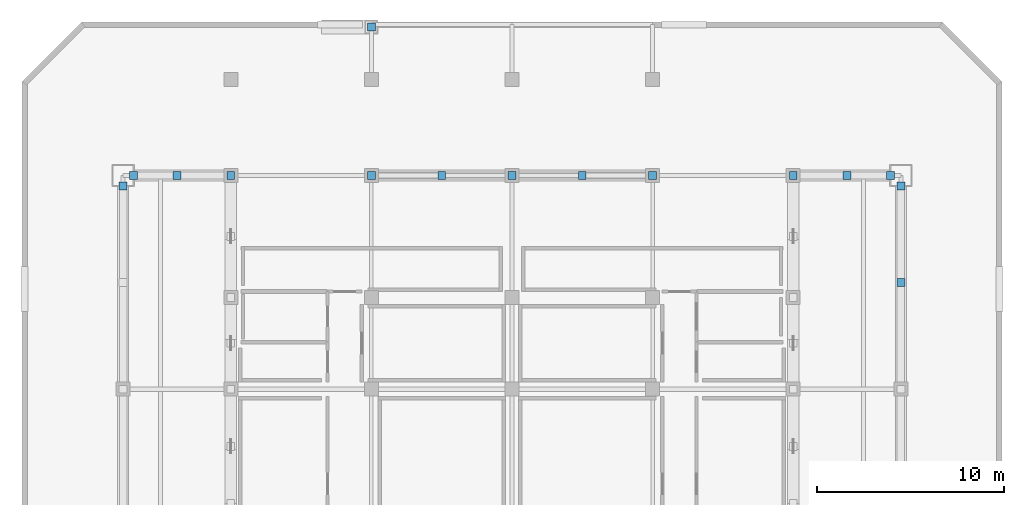
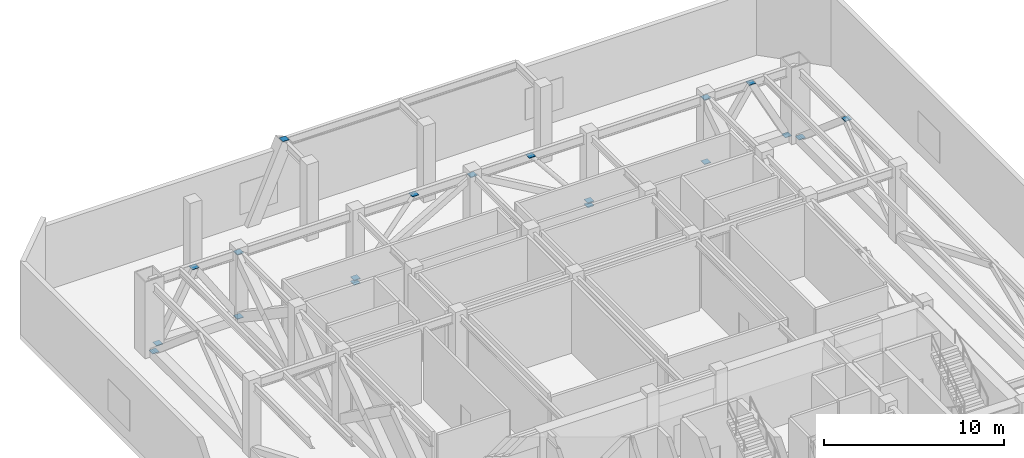
# One storey, part 8 of 10: 19 discrete accessories.
"""IFC4 building model written with IfcOpenShell, lengths in metres."""

from ifc_helpers import new_model, si_unit, direction, frame, origin, origin_2d, place, context, subcontext, project, spatial, rectangle, extrude, material, type_object, element, save


model = new_model("IFC4")

# Units and contexts
model_context = context("Model", 3, precision=1e-05, world=origin(), true_north=direction((0.0, 1.0)))
body_context = subcontext(model_context, "Body", "Model", "MODEL_VIEW")
ifc_project = project(units=[si_unit("LENGTHUNIT", "METRE"), si_unit("AREAUNIT", "SQUARE_METRE"), si_unit("VOLUMEUNIT", "CUBIC_METRE"), si_unit("PLANEANGLEUNIT", "RADIAN"), si_unit("MASSUNIT", "GRAM", prefix="KILO")], contexts=[model_context])

# Site, building, storey
site_placement = place(None, origin())
site = spatial("IfcSite", under=ifc_project, at=site_placement, CompositionType="ELEMENT")
building_placement = place(site_placement, origin())
building = spatial("IfcBuilding", under=site, at=building_placement, Name="Ventersveld Concourse Tower", CompositionType="ELEMENT")
storey_placement = place(building_placement, frame((0.0, 0.0, 134.949951171875)))
storey = spatial("IfcBuildingStorey", under=building, at=storey_placement, Name="L33", CompositionType="ELEMENT", Elevation=134.949951171875)

# Discrete accessories
ifc_material = material(Name="Structural steel S355J2", Category="steel")
discrete_accessory_type = type_object("IfcDiscreteAccessoryType", Name="CONN-BRACE-ECP1", PredefinedType="BRACKET", material=ifc_material)
for number, where, z_axis, x_axis, name in (
    (1, (21.25, 35.0, -0.02001953125), (0.0, 0.0, 1.0), (1.0, 0.0, 0.0), "L33 Steel Brace End Connection Plate ECP1-0033"),
    (2, (25.0, 35.0, 4.650146484375), (0.0, 0.0, 1.0), (1.0, 0.0, 0.0), "L33 Steel Brace End Connection Plate ECP1-0034"),
    (3, (36.25, 35.0, -0.02001953125), (0.0, 0.0, 1.0), (1.0, 0.0, 0.0), "L33 Steel Brace End Connection Plate ECP1-0035"),
    (4, (32.5, 35.0, 4.650146484375), (0.0, 0.0, 1.0), (1.0, 0.0, 0.0), "L33 Steel Brace End Connection Plate ECP1-0036"),
    (5, (13.75, 35.0, 0.280029296875), (0.0, 0.0, 1.0), (1.0, 0.0, 0.0), "L33 Steel Brace End Connection Plate ECP1-0048"),
    (6, (13.75, 35.0, 4.650146484375), (0.0, 0.0, 1.0), (1.0, 0.0, 0.0), "L33 Steel Brace End Connection Plate ECP1-0050"),
    (7, (43.75, 35.0, 0.280029296875), (0.0, 0.0, 1.0), (1.0, 0.0, 0.0), "L33 Steel Brace End Connection Plate ECP1-0062"),
    (8, (43.75, 35.0, 4.650146484375), (0.0, 0.0, 1.0), (1.0, 0.0, 0.0), "L33 Steel Brace End Connection Plate ECP1-0064"),
    (9, (8.56494140625, 35.0, 0.280029296875), (0.0, 0.0, 1.0), (1.0, 0.0, 0.0), "L33 Steel Brace End Connection Plate ECP1-0065"),
    (10, (10.875, 35.0, 4.650146484375), (0.0, 0.0, 1.0), (1.0, 0.0, 0.0), "L33 Steel Brace End Connection Plate ECP1-0066"),
    (11, (21.25, 35.0, 0.280029296875), (0.0, 0.0, 1.0), (1.0, 0.0, 0.0), "L33 Steel Brace End Connection Plate ECP1-0067"),
    (12, (28.75, 35.0, 4.650146484375), (0.0, 0.0, 1.0), (1.0, 0.0, 0.0), "L33 Steel Brace End Connection Plate ECP1-0068"),
    (13, (36.25, 35.0, 0.280029296875), (0.0, 0.0, 1.0), (1.0, 0.0, 0.0), "L33 Steel Brace End Connection Plate ECP1-0069"),
    (14, (46.625, 35.0, 4.650146484375), (0.0, 0.0, 1.0), (1.0, 0.0, 0.0), "L33 Steel Brace End Connection Plate ECP1-0070"),
    (15, (48.93505859375, 35.0, 0.280029296875), (0.0, 0.0, 1.0), (1.0, 0.0, 0.0), "L33 Steel Brace End Connection Plate ECP1-0071"),
    (16, (8.0, 34.43505859375, 0.280029296875), (0.0, 0.0, 1.0), (1.0, 0.0, 0.0), "L33 Steel Brace End Connection Plate ECP1-0076"),
    (17, (49.5, 29.300048828125, 4.650146484375), (0.0, 0.0, 1.0), (1.0, 0.0, 0.0), "L33 Steel Brace End Connection Plate ECP1-0080"),
    (18, (49.5, 34.43505859375, 0.280029296875), (0.0, 0.0, 1.0), (1.0, 0.0, 0.0), "L33 Steel Brace End Connection Plate ECP1-0081"),
    (19, (21.25, 42.919921875, 4.900146484375), (0.0, 0.0, 1.0), (1.0, 0.0, 0.0), "L33 Steel Brace End Connection Plate ECP1-0303"),
):
    element("IfcDiscreteAccessory", number, at=place(storey_placement, frame(where, z_axis=z_axis, x_axis=x_axis)), inside=storey, type_object=discrete_accessory_type, Name=name, PredefinedType="BRACKET", context=body_context, shape_type="SweptSolid", body=[
        extrude(rectangle(XDim=0.419921875, YDim=0.419921875, at=origin_2d()), origin(), (0.0, 0.0, 1.0), 0.0400390625),
    ])

save(model, "model.ifc")
